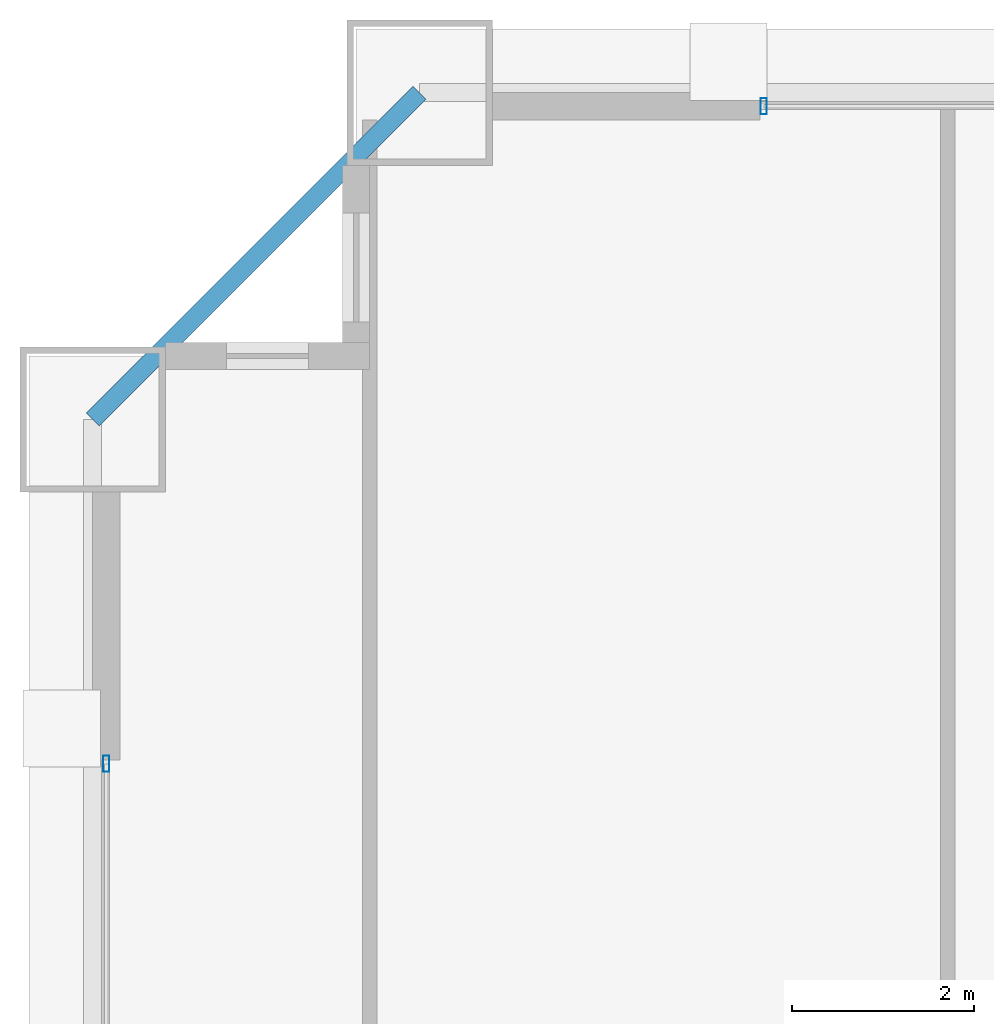
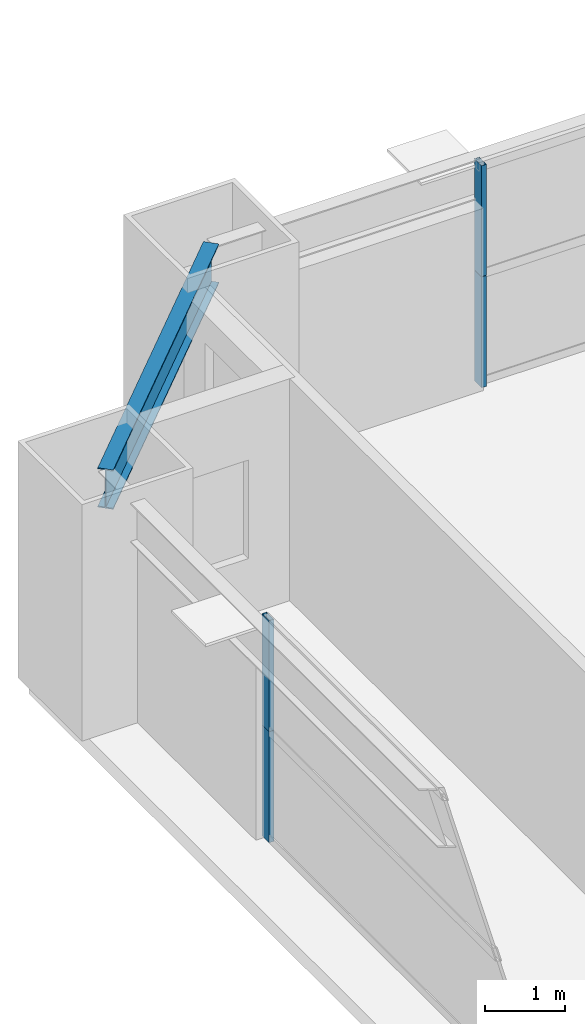
# One storey, part 23 of 39: 4 members, 1 beam, 2 elements without a shape of their own.
"""IFC4 building model written with IfcOpenShell, lengths in metres."""

from ifc_helpers import new_model, si_unit, direction, frame, origin, origin_2d, place, context, subcontext, project, spatial, hollow_rectangle, i_section, extrude, source, transform, mapped, material, layer, layer_set, material_profile, profile_set, type_object, element, aggregate, save


model = new_model("IFC4")

# Units and contexts
model_context = context("Model", 3, precision=1e-05, world=origin(), true_north=direction((0.0, 1.0)))
body_context = subcontext(model_context, "Body", "Model", "MODEL_VIEW")
ifc_project = project(units=[si_unit("LENGTHUNIT", "METRE"), si_unit("AREAUNIT", "SQUARE_METRE"), si_unit("VOLUMEUNIT", "CUBIC_METRE"), si_unit("PLANEANGLEUNIT", "RADIAN"), si_unit("MASSUNIT", "GRAM", prefix="KILO"), si_unit("THERMODYNAMICTEMPERATUREUNIT", "KELVIN"), si_unit("POWERUNIT", "WATT")], contexts=[model_context])

# Site, building, storey
site_placement = place(None, origin())
site = spatial("IfcSite", under=ifc_project, at=site_placement, CompositionType="ELEMENT")
building_placement = place(site_placement, origin())
building = spatial("IfcBuilding", under=site, at=building_placement, Name="Yuzanri Waterfront Tower", CompositionType="ELEMENT")
storey_placement = place(building_placement, frame((0.0, 0.0, 134.39990234375)))
storey = spatial("IfcBuildingStorey", under=building, at=storey_placement, Name="L35", CompositionType="ELEMENT", Elevation=134.39990234375)

# Beam
ifc_material_1 = material(Name="Steel Q355B", Category="steel")
ifc_material_profile_1 = material_profile(ifc_material_1, i_section(OverallWidth=0.199951171875, OverallDepth=0.60009765625, WebThickness=0.010986328125, FlangeThickness=0.01708984375, at=origin_2d()), Name="HN 600x200x11x17")
ifc_profile_set_1 = profile_set([ifc_material_profile_1], Name="Steel Q355B")
beam_type = type_object("IfcBeamType", Name="Perimeter Spandrel Q355B HN 600x200", PredefinedType="SPANDREL", material=ifc_profile_set_1)
shared_shape_1 = source(origin(), body_context, "Body", "SweptSolid", [
    extrude(i_section(OverallWidth=0.199951171875, OverallDepth=0.60009765625, WebThickness=0.010986328125, FlangeThickness=0.01708984375, at=origin_2d()), origin(), (0.0, 0.0, 1.0), 5.091064453125),
])
beam_placement = place(storey_placement, frame((17.0, 49.39990234375, 3.080078125), z_axis=(-0.707130757816, -0.707082803744, 0.0), x_axis=(0.707082803744, -0.707130757816, 0.0)))
element("IfcBeam", 1, at=beam_placement, inside=storey, type_object=beam_type, Name="L35 Perimeter Spandrel N1-W3", PredefinedType="SPANDREL", context=body_context, shape_type="MappedRepresentation", body=[
    mapped(shared_shape_1, transform((0.0, 0.0, 0.0), scale=1.0)),
])

# Curtain wall, members
ifc_material_2 = material(Name="Anodized Architectural Bronze", Category="metal")
ifc_layer = layer(ifc_material_2, 0.159912109375)
ifc_layer_set = layer_set([ifc_layer], Name="Anodized Architectural Bronze")
curtain_wall_type = type_object("IfcCurtainWallType", Name="Anodized Bronze Hotel Upper-Tier Solar-Control Unitized Curtain Wall 7800", PredefinedType="NOTDEFINED", material=ifc_layer_set)
curtain_wall_1_placement = place(storey_placement, origin())
curtain_wall_1 = element("IfcCurtainWall", 2, at=curtain_wall_1_placement, inside=storey, type_object=curtain_wall_type, Name="L35 Curtain Wall CW-L35-NL", PredefinedType="NOTDEFINED")
ifc_material_3 = material(Name="Anodized Architectural Bronze", Category="metal")
ifc_material_profile_2 = material_profile(ifc_material_3, hollow_rectangle(XDim=0.070068359375, YDim=0.179931640625, WallThickness=0.00390625, at=origin_2d()), Name="CWM 70x180")
ifc_profile_set_2 = profile_set([ifc_material_profile_2], Name="Anodized Architectural Bronze")
member_type = type_object("IfcMemberType", Name="Anodized Bronze Standard Curtain-Wall Mullion 70x180", PredefinedType="MULLION", material=ifc_profile_set_2)
shared_shape_2 = source(origin(), body_context, "Body", "SweptSolid", [
    extrude(hollow_rectangle(XDim=0.070068359375, YDim=0.179931640625, WallThickness=0.00390625, at=origin_2d()), origin(), (0.0, 0.0, 1.0), 1.68798828125),
])
member_1_placement = place(storey_placement, frame((20.7900390625, 49.25, 0.0), z_axis=(0.0, 0.0, 1.0), x_axis=(1.0, 0.0, 0.0)))
member_1 = element("IfcMember", 3, at=member_1_placement, type_object=member_type, Name="CW-L35-NL Lower Mullion 00", PredefinedType="MULLION", context=body_context, shape_type="MappedRepresentation", body=[
    mapped(shared_shape_2, transform((0.0, 0.0, 0.0), scale=1.0)),
])
member_2_placement = place(storey_placement, frame((20.7900390625, 49.25, 1.692138671875), z_axis=(0.0, 0.0, 1.0), x_axis=(1.0, 0.0, 0.0)))
member_2 = element("IfcMember", 4, at=member_2_placement, type_object=member_type, Name="CW-L35-NL Upper Mullion 00", PredefinedType="MULLION", context=body_context, shape_type="MappedRepresentation", body=[
    mapped(shared_shape_2, transform((0.0, 0.0, 0.0), scale=1.0)),
])
aggregate(curtain_wall_1, [member_1, member_2])

curtain_wall_2_placement = place(storey_placement, origin())
curtain_wall_2 = element("IfcCurtainWall", 5, at=curtain_wall_2_placement, inside=storey, type_object=curtain_wall_type, Name="L35 Curtain Wall CW-L35-WR", PredefinedType="NOTDEFINED")
member_3_placement = place(storey_placement, frame((13.550048828125, 42.010009765625, 0.0), z_axis=(0.0, 0.0, 1.0), x_axis=(1.0, 0.0, 0.0)))
member_3 = element("IfcMember", 6, at=member_3_placement, type_object=member_type, Name="CW-L35-WR Lower Mullion 02", PredefinedType="MULLION", context=body_context, shape_type="MappedRepresentation", body=[
    mapped(shared_shape_2, transform((0.0, 0.0, 0.0), scale=1.0)),
])
member_4_placement = place(storey_placement, frame((13.550048828125, 42.010009765625, 1.692138671875), z_axis=(0.0, 0.0, 1.0), x_axis=(1.0, 0.0, 0.0)))
member_4 = element("IfcMember", 7, at=member_4_placement, type_object=member_type, Name="CW-L35-WR Upper Mullion 02", PredefinedType="MULLION", context=body_context, shape_type="MappedRepresentation", body=[
    mapped(shared_shape_2, transform((0.0, 0.0, 0.0), scale=1.0)),
])
aggregate(curtain_wall_2, [member_3, member_4])

save(model, "model.ifc")
